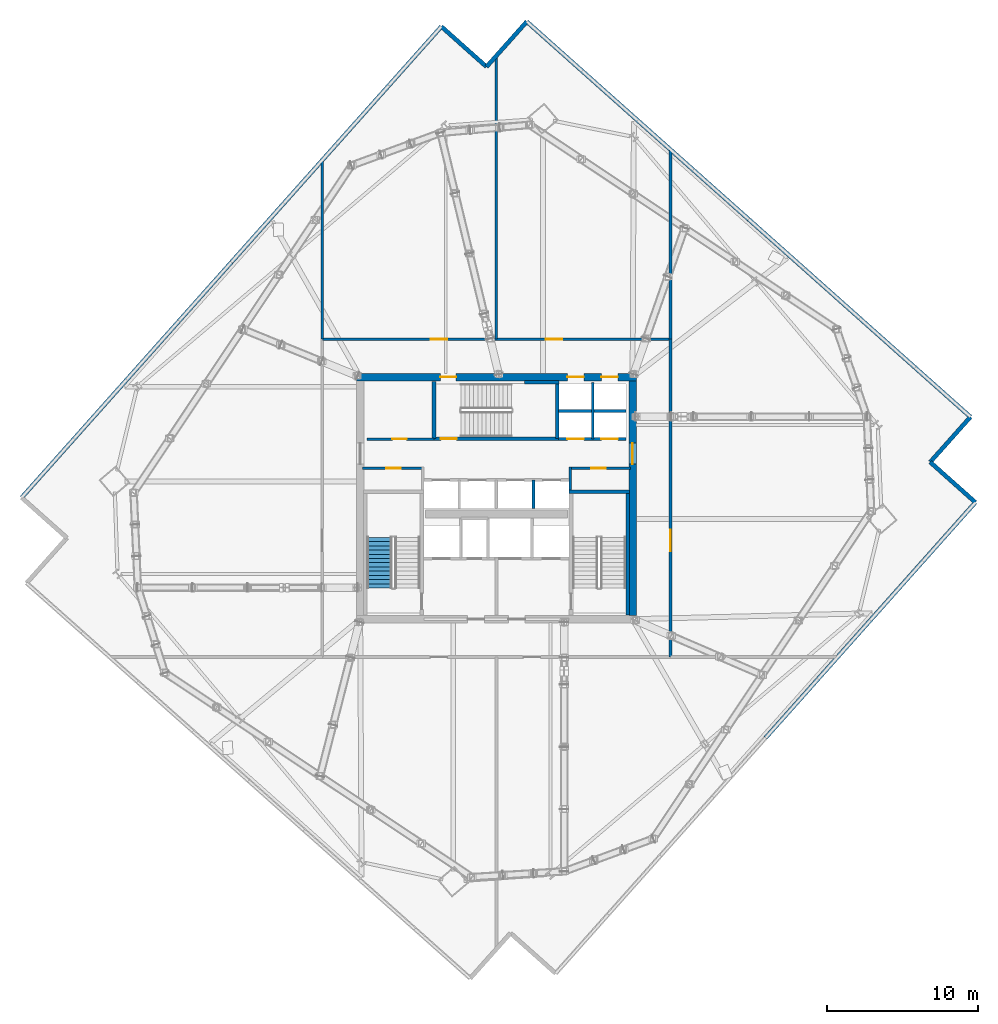
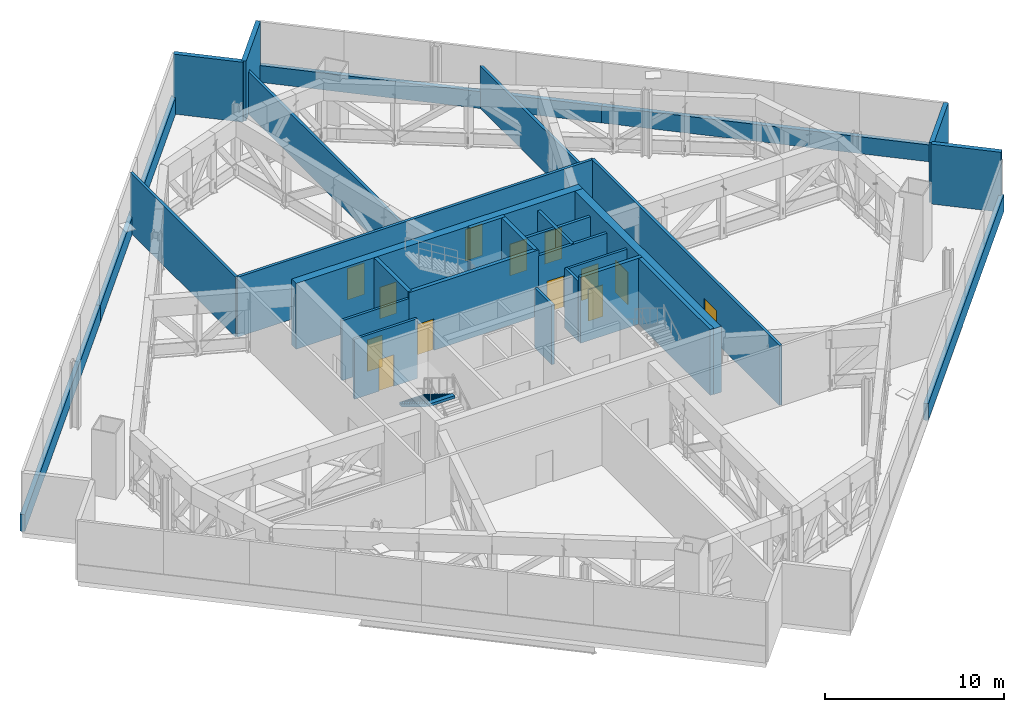
# One storey, part 13 of 18: 30 walls, 13 doors, 1 stair flight, 13 openings, 1 element without a shape of its own.
"""IFC4 building model written with IfcOpenShell, lengths in metres."""

from ifc_helpers import new_model, si_unit, direction, frame, frame_2d, origin, place, context, subcontext, project, spatial, polyline, rectangle, outline, extrude, material, layer, layer_set, type_object, element, fill, aggregate, save


model = new_model("IFC4")

# Units and contexts
model_context = context("Model", 3, precision=1e-05, world=origin(), true_north=direction((0.0, 1.0)))
body_context = subcontext(model_context, "Body", "Model", "MODEL_VIEW")
ifc_project = project(units=[si_unit("LENGTHUNIT", "METRE"), si_unit("AREAUNIT", "SQUARE_METRE"), si_unit("VOLUMEUNIT", "CUBIC_METRE"), si_unit("PLANEANGLEUNIT", "RADIAN"), si_unit("MASSUNIT", "GRAM", prefix="KILO")], contexts=[model_context])

# Site, building, storey
site_placement = place(None, origin())
site = spatial("IfcSite", under=ifc_project, at=site_placement, CompositionType="ELEMENT")
building_placement = place(site_placement, origin())
building = spatial("IfcBuilding", under=site, at=building_placement, Name="Haldenkirk Collegiate Tower", CompositionType="ELEMENT")
storey_placement = place(building_placement, frame((0.0, 0.0, 189.449951171875)))
storey = spatial("IfcBuildingStorey", under=building, at=storey_placement, Name="L47", CompositionType="ELEMENT", Elevation=189.449951171875)

# Wall, openings, doors
ifc_material_1 = material(Name="Concrete f'c 55 MPa", Category="concrete")
ifc_layer_1 = layer(ifc_material_1, 0.5)
ifc_layer_set_1 = layer_set([ifc_layer_1], Name="Concrete f'c 55 MPa")
wall_type_1 = type_object("IfcWallType", Name="WL-CORE-500", PredefinedType="SHEAR", material=ifc_layer_set_1)
wall_1_placement = place(storey_placement, frame((26.75, 34.0, 0.0), z_axis=(0.0, 0.0, 1.0), x_axis=(1.0, 0.0, 0.0)))
wall_1 = element("IfcWall", 1, at=wall_1_placement, inside=storey, type_object=wall_type_1, Name="L47 central core shear wall N", PredefinedType="SHEAR", context=body_context, shape_type="SweptSolid", body=[
    extrude(rectangle(XDim=18.5, YDim=0.5, at=frame_2d((9.25, 0.0))), origin(), (0.0, 0.0, 1.0), 4.5),
])
opening_1_placement = place(wall_1_placement, frame((5.544921875, 0.0, 0.0)))
opening_1 = element("IfcOpeningElement", 2, at=opening_1_placement, cuts=wall_1, Name="Opening D-01", PredefinedType="OPENING", context=body_context, shape_type="SweptSolid", body=[
    extrude(rectangle(XDim=1.050048828125, YDim=2.14990234375, at=frame_2d((0.52490234375, 1.074951171875))), frame((0.0, 0.260009765625, 0.0), z_axis=(0.0, -1.0, 0.0), x_axis=(1.0, 0.0, 0.0)), (0.0, 0.0, 1.0), 0.52001953125),
])
opening_2_placement = place(wall_1_placement, frame((13.93505859375, 0.0, 0.0)))
opening_2 = element("IfcOpeningElement", 3, at=opening_2_placement, cuts=wall_1, Name="Opening LD-11", PredefinedType="OPENING", context=body_context, shape_type="SweptSolid", body=[
    extrude(rectangle(XDim=1.10009765625, YDim=2.14990234375, at=frame_2d((0.550048828125, 1.074951171875))), frame((0.0, 0.260009765625, 0.0), z_axis=(0.0, -1.0, 0.0), x_axis=(1.0, 0.0, 0.0)), (0.0, 0.0, 1.0), 0.52001953125),
])
opening_3_placement = place(wall_1_placement, frame((16.18505859375, 0.0, 0.0)))
opening_3 = element("IfcOpeningElement", 4, at=opening_3_placement, cuts=wall_1, Name="Opening LD-11", PredefinedType="OPENING", context=body_context, shape_type="SweptSolid", body=[
    extrude(rectangle(XDim=1.10009765625, YDim=2.14990234375, at=frame_2d((0.550048828125, 1.074951171875))), frame((0.0, 0.260009765625, 0.0), z_axis=(0.0, -1.0, 0.0), x_axis=(1.0, 0.0, 0.0)), (0.0, 0.0, 1.0), 0.52001953125),
])
ifc_material_2 = material(Name="Galvanized fire-rated hollow steel door", Category="steel")
ifc_layer_2 = layer(ifc_material_2, 0.06005859375)
ifc_layer_set_2 = layer_set([ifc_layer_2], Name="Galvanized fire-rated hollow steel door")
door_type_1 = type_object("IfcDoorType", Name="DR-STAIR-FD90-1050", OperationType="NOTDEFINED", PredefinedType="DOOR", material=ifc_layer_set_2)
door_1_placement = place(opening_1_placement, origin())
door_1 = element("IfcDoor", 5, at=door_1_placement, inside=storey, type_object=door_type_1, Name="L47 north plant corridor Stair 3 door", OperationType="SINGLE_SWING_RIGHT", OverallHeight=2.14990234375, OverallWidth=1.050048828125, PredefinedType="DOOR", context=body_context, shape_type="SweptSolid", body=[
    extrude(rectangle(XDim=1.050048828125, YDim=2.14990234375, at=frame_2d((0.52490234375, 1.074951171875))), frame((0.0, 0.02490234375, 0.0), z_axis=(0.0, -1.0, 0.0), x_axis=(1.0, 0.0, 0.0)), (0.0, 0.0, 1.0), 0.050048828125),
])
fill(opening_1, door_1)
ifc_material_3 = material(Name="Brushed architectural stainless steel", Category="steel")
ifc_layer_3 = layer(ifc_material_3, 0.06005859375)
ifc_layer_set_3 = layer_set([ifc_layer_3], Name="Brushed architectural stainless steel")
door_type_2 = type_object("IfcDoorType", Name="LD-PASS-1100", OperationType="NOTDEFINED", PredefinedType="DOOR", material=ifc_layer_set_3)
door_2_placement = place(opening_2_placement, origin())
door_2 = element("IfcDoor", 6, at=door_2_placement, inside=storey, type_object=door_type_2, Name="L47 Elevator PM3 sliding landing door", OperationType="SLIDING_TO_LEFT", OverallHeight=2.14990234375, OverallWidth=1.10009765625, PredefinedType="DOOR", context=body_context, shape_type="SweptSolid", body=[
    extrude(rectangle(XDim=1.10009765625, YDim=2.14990234375, at=frame_2d((0.550048828125, 1.074951171875))), frame((0.0, 0.02490234375, 0.0), z_axis=(0.0, -1.0, 0.0), x_axis=(1.0, 0.0, 0.0)), (0.0, 0.0, 1.0), 0.050048828125),
])
fill(opening_2, door_2)
door_3_placement = place(opening_3_placement, origin())
door_3 = element("IfcDoor", 7, at=door_3_placement, inside=storey, type_object=door_type_2, Name="L47 Elevator PM4 sliding landing door", OperationType="SLIDING_TO_LEFT", OverallHeight=2.14990234375, OverallWidth=1.10009765625, PredefinedType="DOOR", context=body_context, shape_type="SweptSolid", body=[
    extrude(rectangle(XDim=1.10009765625, YDim=2.14990234375, at=frame_2d((0.550048828125, 1.074951171875))), frame((0.0, 0.02490234375, 0.0), z_axis=(0.0, -1.0, 0.0), x_axis=(1.0, 0.0, 0.0)), (0.0, 0.0, 1.0), 0.050048828125),
])
fill(opening_3, door_3)

# Wall, opening, door
wall_2_placement = place(storey_placement, frame((45.0, 18.25, 0.0), z_axis=(0.0, 0.0, 1.0), x_axis=(0.0, 1.0, 0.0)))
wall_2 = element("IfcWall", 8, at=wall_2_placement, inside=storey, type_object=wall_type_1, Name="L47 central core shear wall E", PredefinedType="SHEAR", context=body_context, shape_type="SweptSolid", body=[
    extrude(rectangle(XDim=15.5, YDim=0.5, at=frame_2d((7.75, 0.0))), origin(), (0.0, 0.0, 1.0), 4.5),
])
opening_4_placement = place(wall_2_placement, frame((9.989990234375, 0.0, 0.0)))
opening_4 = element("IfcOpeningElement", 9, at=opening_4_placement, cuts=wall_2, Name="Opening D-03", PredefinedType="OPENING", context=body_context, shape_type="SweptSolid", body=[
    extrude(rectangle(XDim=1.39990234375, YDim=2.199951171875, at=frame_2d((0.699951171875, 1.10009765625))), frame((0.0, 0.260009765625, 0.0), z_axis=(0.0, -1.0, 0.0), x_axis=(1.0, 0.0, 0.0)), (0.0, 0.0, 1.0), 0.52001953125),
])
ifc_layer_4 = layer(ifc_material_2, 0.06005859375)
ifc_layer_set_4 = layer_set([ifc_layer_4], Name="Galvanized fire-rated hollow steel door")
door_type_3 = type_object("IfcDoorType", Name="DR-LOBBY-FD90-1400", OperationType="NOTDEFINED", PredefinedType="DOOR", material=ifc_layer_set_4)
door_4_placement = place(opening_4_placement, origin())
door_4 = element("IfcDoor", 10, at=door_4_placement, inside=storey, type_object=door_type_3, Name="L47 east lift lobby portal", OperationType="DOUBLE_DOOR_SINGLE_SWING", OverallHeight=2.199951171875, OverallWidth=1.39990234375, PredefinedType="DOOR", context=body_context, shape_type="SweptSolid", body=[
    extrude(rectangle(XDim=1.39990234375, YDim=2.199951171875, at=frame_2d((0.699951171875, 1.10009765625))), frame((0.0, 0.02490234375, 0.0), z_axis=(0.0, -1.0, 0.0), x_axis=(1.0, 0.0, 0.0)), (0.0, 0.0, 1.0), 0.050048828125),
])
fill(opening_4, door_4)

# Walls
ifc_material_4 = material(Name="Precast concrete f'c 40 MPa", Category="concrete")
ifc_layer_5 = layer(ifc_material_4, 0.280029296875)
ifc_layer_set_5 = layer_set([ifc_layer_5], Name="Precast concrete f'c 40 MPa")
wall_type_2 = type_object("IfcWallType", Name="WL-EXT-PLT-280", PredefinedType="STANDARD", material=ifc_layer_set_5)
wall_3_placement = place(storey_placement, frame((67.65869140625, 25.71826171875, 0.0), z_axis=(0.0, 0.0, 1.0), x_axis=(-0.665232628424, -0.746636156425, 0.0)))
element("IfcWall", 11, at=wall_3_placement, inside=storey, type_object=wall_type_2, Name="L47 plant room precast spandrel 01A", PredefinedType="STANDARD", context=body_context, shape_type="SweptSolid", body=[
    extrude(rectangle(XDim=20.85009765625, YDim=0.280029296875, at=frame_2d((10.425048828125, 0.0))), origin(), (0.0, 0.0, 1.0), 1.150146484375),
])
for number, where, z_axis, x_axis, name in (
    (12, (64.672119140625, 28.379150390625, 0.0), (0.0, 0.0, 1.0), (0.746644409856, -0.665223364916, 0.0), "L47 plant corner precast wall 02"),
    (13, (67.3330078125, 31.36572265625, 0.0), (0.0, 0.0, 1.0), (-0.665223364916, -0.746644409856, 0.0), "L47 plant corner precast wall 03"),
):
    element("IfcWall", number, at=place(storey_placement, frame(where, z_axis=z_axis, x_axis=x_axis)), inside=storey, type_object=wall_type_2, Name=name, PredefinedType="STANDARD", context=body_context, shape_type="SweptSolid", body=[
        extrude(rectangle(XDim=4.0, YDim=0.280029296875, at=frame_2d((2.0, 0.0))), origin(), (0.0, 0.0, 1.0), 4.090087890625),
    ])
for number, where, z_axis, x_axis, name in (
    (14, (38.0087890625, 57.49267578125, 0.0), (0.0, 0.0, 1.0), (0.746637837587, -0.665230741535, 0.0), "L47 plant room precast spandrel 04A"),
    (15, (52.6708984375, 44.42919921875, 0.0), (0.0, 0.0, 1.0), (0.746637837587, -0.665230741535, 0.0), "L47 plant room precast spandrel 04B"),
):
    element("IfcWall", number, at=place(storey_placement, frame(where, z_axis=z_axis, x_axis=x_axis)), inside=storey, type_object=wall_type_2, Name=name, PredefinedType="STANDARD", context=body_context, shape_type="SweptSolid", body=[
        extrude(rectangle(XDim=19.637451171875, YDim=0.280029296875, at=frame_2d((9.81884765625, 0.0))), origin(), (0.0, 0.0, 1.0), 1.150146484375),
    ])
for number, where, z_axis, x_axis, name in (
    (16, (35.347900390625, 54.506103515625, 0.0), (0.0, 0.0, 1.0), (0.665223364916, 0.746644409856, 0.0), "L47 plant corner precast wall 05"),
    (17, (32.361328125, 57.1669921875, 0.0), (0.0, 0.0, 1.0), (0.746644409856, -0.665223364916, 0.0), "L47 plant corner precast wall 06"),
):
    element("IfcWall", number, at=place(storey_placement, frame(where, z_axis=z_axis, x_axis=x_axis)), inside=storey, type_object=wall_type_2, Name=name, PredefinedType="STANDARD", context=body_context, shape_type="SweptSolid", body=[
        extrude(rectangle(XDim=4.0, YDim=0.280029296875, at=frame_2d((2.0, 0.0))), origin(), (0.0, 0.0, 1.0), 4.090087890625),
    ])
wall_4_placement = place(storey_placement, frame((4.621337890625, 26.0322265625, 0.0), z_axis=(0.0, 0.0, 1.0), x_axis=(0.665232628424, 0.746636156425, 0.0)))
element("IfcWall", 18, at=wall_4_placement, inside=storey, type_object=wall_type_2, Name="L47 plant room precast spandrel 07A", PredefinedType="STANDARD", context=body_context, shape_type="SweptSolid", body=[
    extrude(rectangle(XDim=20.85009765625, YDim=0.280029296875, at=frame_2d((10.425048828125, 0.0))), origin(), (0.0, 0.0, 1.0), 1.150146484375),
])
wall_5_placement = place(storey_placement, frame((18.491455078125, 41.599609375, 0.0), z_axis=(0.0, 0.0, 1.0), x_axis=(0.665226100778, 0.746641972329, 0.0)))
element("IfcWall", 19, at=wall_5_placement, inside=storey, type_object=wall_type_2, Name="L47 plant room precast spandrel 07B", PredefinedType="STANDARD", context=body_context, shape_type="SweptSolid", body=[
    extrude(rectangle(XDim=20.849853515625, YDim=0.280029296875, at=frame_2d((10.4248046875, 0.0))), origin(), (0.0, 0.0, 1.0), 1.150146484375),
])

# Wall, opening, door
ifc_material_5 = material(Name="Acoustic fire-rated gypsum partition", Category="concrete")
ifc_layer_6 = layer(ifc_material_5, 0.159912109375)
ifc_layer_set_6 = layer_set([ifc_layer_6], Name="Acoustic fire-rated gypsum partition")
wall_type_3 = type_object("IfcWallType", Name="WL-INT-CORR-160", PredefinedType="PARTITIONING", material=ifc_layer_set_6)
wall_6_placement = place(storey_placement, frame((27.14990234375, 27.97998046875, 0.0), z_axis=(0.0, 0.0, 1.0), x_axis=(1.0, 0.0, 0.0)))
wall_6 = element("IfcWall", 20, at=wall_6_placement, inside=storey, type_object=wall_type_3, Name="L47 interior partition IW-L47-VCSW-N", PredefinedType="PARTITIONING", context=body_context, shape_type="SweptSolid", body=[
    extrude(rectangle(XDim=4.050048828125, YDim=0.159912109375, at=frame_2d((2.02490234375, 0.0))), origin(), (0.0, 0.0, 1.0), 4.090087890625),
])
opening_5_placement = place(wall_6_placement, frame((1.574951171875, 0.0, 0.0)))
opening_5 = element("IfcOpeningElement", 21, at=opening_5_placement, cuts=wall_6, Name="Opening D-10", PredefinedType="OPENING", context=body_context, shape_type="SweptSolid", body=[
    extrude(rectangle(XDim=0.949951171875, YDim=2.14990234375, at=frame_2d((0.47509765625, 1.074951171875))), frame((0.0, 0.08984375, 0.0), z_axis=(0.0, -1.0, 0.0), x_axis=(1.0, 0.0, 0.0)), (0.0, 0.0, 1.0), 0.179931640625),
])
ifc_material_6 = material(Name="Solid-core architectural oak fire door", Category="wood")
ifc_layer_7 = layer(ifc_material_6, 0.06005859375)
ifc_layer_set_7 = layer_set([ifc_layer_7], Name="Solid-core architectural oak fire door")
door_type_4 = type_object("IfcDoorType", Name="DR-INT-FD60-950", OperationType="NOTDEFINED", PredefinedType="DOOR", material=ifc_layer_set_7)
door_5_placement = place(opening_5_placement, origin())
door_5 = element("IfcDoor", 22, at=door_5_placement, inside=storey, type_object=door_type_4, Name="L47 core electrical door", OperationType="SINGLE_SWING_LEFT", OverallHeight=2.14990234375, OverallWidth=0.949951171875, PredefinedType="DOOR", context=body_context, shape_type="SweptSolid", body=[
    extrude(rectangle(XDim=0.949951171875, YDim=2.14990234375, at=frame_2d((0.47509765625, 1.074951171875))), frame((0.0, 0.02490234375, 0.0), z_axis=(0.0, -1.0, 0.0), x_axis=(1.0, 0.0, 0.0)), (0.0, 0.0, 1.0), 0.050048828125),
])
fill(opening_5, door_5)

wall_7_placement = place(storey_placement, frame((40.800048828125, 27.97998046875, 0.0), z_axis=(0.0, 0.0, 1.0), x_axis=(1.0, 0.0, 0.0)))
wall_7 = element("IfcWall", 23, at=wall_7_placement, inside=storey, type_object=wall_type_3, Name="L47 interior partition IW-L47-VCSE-N", PredefinedType="PARTITIONING", context=body_context, shape_type="SweptSolid", body=[
    extrude(rectangle(XDim=4.050048828125, YDim=0.159912109375, at=frame_2d((2.02490234375, 0.0))), origin(), (0.0, 0.0, 1.0), 4.090087890625),
])
opening_6_placement = place(wall_7_placement, frame((1.47509765625, 0.0, 0.0)))
opening_6 = element("IfcOpeningElement", 24, at=opening_6_placement, cuts=wall_7, Name="Opening D-10", PredefinedType="OPENING", context=body_context, shape_type="SweptSolid", body=[
    extrude(rectangle(XDim=0.949951171875, YDim=2.14990234375, at=frame_2d((0.47509765625, 1.074951171875))), frame((0.0, 0.08984375, 0.0), z_axis=(0.0, -1.0, 0.0), x_axis=(1.0, 0.0, 0.0)), (0.0, 0.0, 1.0), 0.179931640625),
])
door_6_placement = place(opening_6_placement, origin())
door_6 = element("IfcDoor", 25, at=door_6_placement, inside=storey, type_object=door_type_4, Name="L47 core mechanical store door", OperationType="SINGLE_SWING_RIGHT", OverallHeight=2.14990234375, OverallWidth=0.949951171875, PredefinedType="DOOR", context=body_context, shape_type="SweptSolid", body=[
    extrude(rectangle(XDim=0.949951171875, YDim=2.14990234375, at=frame_2d((0.47509765625, 1.074951171875))), frame((0.0, 0.02490234375, 0.0), z_axis=(0.0, -1.0, 0.0), x_axis=(1.0, 0.0, 0.0)), (0.0, 0.0, 1.0), 0.050048828125),
])
fill(opening_6, door_6)

# Wall
wall_8_placement = place(storey_placement, frame((40.8798828125, 26.5400390625, 0.0), z_axis=(0.0, 0.0, 1.0), x_axis=(0.0, 1.0, 0.0)))
element("IfcWall", 26, at=wall_8_placement, inside=storey, type_object=wall_type_3, Name="L47 interior partition IW-L47-VCSE-W", PredefinedType="PARTITIONING", context=body_context, shape_type="SweptSolid", body=[
    extrude(rectangle(XDim=1.510009765625, YDim=0.159912109375, at=frame_2d((0.7548828125, 0.0))), origin(), (0.0, 0.0, 1.0), 4.090087890625),
])

# Wall, opening, door
wall_9_placement = place(storey_placement, frame((27.449951171875, 29.89990234375, 0.0), z_axis=(0.0, 0.0, 1.0), x_axis=(1.0, 0.0, 0.0)))
wall_9 = element("IfcWall", 27, at=wall_9_placement, inside=storey, type_object=wall_type_3, Name="L47 interior partition IW-L47-PLS", PredefinedType="PARTITIONING", context=body_context, shape_type="SweptSolid", body=[
    extrude(rectangle(XDim=4.429931640625, YDim=0.159912109375, at=frame_2d((2.21484375, 0.0))), origin(), (0.0, 0.0, 1.0), 4.090087890625),
])
opening_7_placement = place(wall_9_placement, frame((1.675048828125, 0.0, 0.0)))
opening_7 = element("IfcOpeningElement", 28, at=opening_7_placement, cuts=wall_9, Name="Opening D-10", PredefinedType="OPENING", context=body_context, shape_type="SweptSolid", body=[
    extrude(rectangle(XDim=0.949951171875, YDim=2.14990234375, at=frame_2d((0.47509765625, 1.074951171875))), frame((0.0, 0.08984375, 0.0), z_axis=(0.0, -1.0, 0.0), x_axis=(1.0, 0.0, 0.0)), (0.0, 0.0, 1.0), 0.179931640625),
])
door_7_placement = place(opening_7_placement, origin())
door_7 = element("IfcDoor", 29, at=door_7_placement, inside=storey, type_object=door_type_4, Name="L47 reclaimed plant store door", OperationType="SINGLE_SWING_LEFT", OverallHeight=2.14990234375, OverallWidth=0.949951171875, PredefinedType="DOOR", context=body_context, shape_type="SweptSolid", body=[
    extrude(rectangle(XDim=0.949951171875, YDim=2.14990234375, at=frame_2d((0.47509765625, 1.074951171875))), frame((0.0, 0.02490234375, 0.0), z_axis=(0.0, -1.0, 0.0), x_axis=(1.0, 0.0, 0.0)), (0.0, 0.0, 1.0), 0.050048828125),
])
fill(opening_7, door_7)

# Wall, openings, doors
ifc_material_7 = material(Name="Fire-rated gypsum shaftboard assembly", Category="concrete")
ifc_layer_8 = layer(ifc_material_7, 0.179931640625)
ifc_layer_set_8 = layer_set([ifc_layer_8], Name="Fire-rated gypsum shaftboard assembly")
wall_type_4 = type_object("IfcWallType", Name="WL-INT-SHAFT-180", PredefinedType="PARTITIONING", material=ifc_layer_set_8)
wall_10_placement = place(storey_placement, frame((40.1201171875, 29.89990234375, 0.0), z_axis=(0.0, 0.0, 1.0), x_axis=(1.0, 0.0, 0.0)))
wall_10 = element("IfcWall", 30, at=wall_10_placement, inside=storey, type_object=wall_type_4, Name="L47 interior partition IW-L47-PMS", PredefinedType="PARTITIONING", context=body_context, shape_type="SweptSolid", body=[
    extrude(rectangle(XDim=4.429931640625, YDim=0.179931640625, at=frame_2d((2.21484375, 0.0))), origin(), (0.0, 0.0, 1.0), 4.090087890625),
])
opening_8_placement = place(wall_10_placement, frame((0.56494140625, 0.0, 0.0)))
opening_8 = element("IfcOpeningElement", 31, at=opening_8_placement, cuts=wall_10, Name="Opening LD-11", PredefinedType="OPENING", context=body_context, shape_type="SweptSolid", body=[
    extrude(rectangle(XDim=1.10009765625, YDim=2.14990234375, at=frame_2d((0.550048828125, 1.074951171875))), frame((0.0, 0.099853515625, 0.0), z_axis=(0.0, -1.0, 0.0), x_axis=(1.0, 0.0, 0.0)), (0.0, 0.0, 1.0), 0.199951171875),
])
opening_9_placement = place(wall_10_placement, frame((2.81494140625, 0.0, 0.0)))
opening_9 = element("IfcOpeningElement", 32, at=opening_9_placement, cuts=wall_10, Name="Opening LD-11", PredefinedType="OPENING", context=body_context, shape_type="SweptSolid", body=[
    extrude(rectangle(XDim=1.10009765625, YDim=2.14990234375, at=frame_2d((0.550048828125, 1.074951171875))), frame((0.0, 0.099853515625, 0.0), z_axis=(0.0, -1.0, 0.0), x_axis=(1.0, 0.0, 0.0)), (0.0, 0.0, 1.0), 0.199951171875),
])
door_8_placement = place(opening_8_placement, origin())
door_8 = element("IfcDoor", 33, at=door_8_placement, inside=storey, type_object=door_type_2, Name="L47 Elevator PM1 sliding landing door", OperationType="SLIDING_TO_LEFT", OverallHeight=2.14990234375, OverallWidth=1.10009765625, PredefinedType="DOOR", context=body_context, shape_type="SweptSolid", body=[
    extrude(rectangle(XDim=1.10009765625, YDim=2.14990234375, at=frame_2d((0.550048828125, 1.074951171875))), frame((0.0, 0.02490234375, 0.0), z_axis=(0.0, -1.0, 0.0), x_axis=(1.0, 0.0, 0.0)), (0.0, 0.0, 1.0), 0.050048828125),
])
fill(opening_8, door_8)
door_9_placement = place(opening_9_placement, origin())
door_9 = element("IfcDoor", 34, at=door_9_placement, inside=storey, type_object=door_type_2, Name="L47 Elevator PM2 sliding landing door", OperationType="SLIDING_TO_LEFT", OverallHeight=2.14990234375, OverallWidth=1.10009765625, PredefinedType="DOOR", context=body_context, shape_type="SweptSolid", body=[
    extrude(rectangle(XDim=1.10009765625, YDim=2.14990234375, at=frame_2d((0.550048828125, 1.074951171875))), frame((0.0, 0.02490234375, 0.0), z_axis=(0.0, -1.0, 0.0), x_axis=(1.0, 0.0, 0.0)), (0.0, 0.0, 1.0), 0.050048828125),
])
fill(opening_9, door_9)

# Walls
wall_11_placement = place(storey_placement, frame((40.1201171875, 31.75, 0.0), z_axis=(0.0, 0.0, 1.0), x_axis=(1.0, 0.0, 0.0)))
element("IfcWall", 35, at=wall_11_placement, inside=storey, type_object=wall_type_4, Name="L47 interior partition IW-L47-PMM", PredefinedType="PARTITIONING", context=body_context, shape_type="SweptSolid", body=[
    extrude(rectangle(XDim=4.429931640625, YDim=0.179931640625, at=frame_2d((2.21484375, 0.0))), origin(), (0.0, 0.0, 1.0), 4.090087890625),
])
wall_12_placement = place(storey_placement, frame((42.3701171875, 29.89990234375, 0.0), z_axis=(0.0, 0.0, 1.0), x_axis=(0.0, 1.0, 0.0)))
element("IfcWall", 36, at=wall_12_placement, inside=storey, type_object=wall_type_4, Name="L47 interior partition IW-L47-PMV", PredefinedType="PARTITIONING", context=body_context, shape_type="SweptSolid", body=[
    extrude(rectangle(XDim=3.75, YDim=0.179931640625, at=frame_2d((1.875, 0.0))), origin(), (0.0, 0.0, 1.0), 4.090087890625),
])
wall_13_placement = place(storey_placement, frame((38.4599609375, 25.300048828125, 0.0), z_axis=(0.0, 0.0, 1.0), x_axis=(0.0, 1.0, 0.0)))
element("IfcWall", 37, at=wall_13_placement, inside=storey, type_object=wall_type_4, Name="L47 interior partition IW-L47-PHV3", PredefinedType="PARTITIONING", context=body_context, shape_type="SweptSolid", body=[
    extrude(rectangle(XDim=1.89990234375, YDim=0.179931640625, at=frame_2d((0.949951171875, 0.0))), origin(), (0.0, 0.0, 1.0), 4.090087890625),
])

# Wall, openings, doors
wall_14_placement = place(storey_placement, frame((24.5, 36.5, 0.0), z_axis=(0.0, 0.0, 1.0), x_axis=(1.0, 0.0, 0.0)))
wall_14 = element("IfcWall", 38, at=wall_14_placement, inside=storey, type_object=wall_type_4, Name="L47 interior partition IW-L47-CN", PredefinedType="PARTITIONING", context=body_context, shape_type="SweptSolid", body=[
    extrude(rectangle(XDim=23.0, YDim=0.179931640625, at=frame_2d((11.5, 0.0))), origin(), (0.0, 0.0, 1.0), 4.090087890625),
])
opening_10_placement = place(wall_14_placement, frame((7.14990234375, 0.0, 0.0)))
opening_10 = element("IfcOpeningElement", 39, at=opening_10_placement, cuts=wall_14, Name="Opening D-02", PredefinedType="OPENING", context=body_context, shape_type="SweptSolid", body=[
    extrude(rectangle(XDim=1.10009765625, YDim=2.14990234375, at=frame_2d((0.550048828125, 1.074951171875))), frame((0.0, 0.099853515625, 0.0), z_axis=(0.0, -1.0, 0.0), x_axis=(1.0, 0.0, 0.0)), (0.0, 0.0, 1.0), 0.199951171875),
])
opening_11_placement = place(wall_14_placement, frame((14.75, 0.0, 0.0)))
opening_11 = element("IfcOpeningElement", 40, at=opening_11_placement, cuts=wall_14, Name="Opening D-02", PredefinedType="OPENING", context=body_context, shape_type="SweptSolid", body=[
    extrude(rectangle(XDim=1.10009765625, YDim=2.14990234375, at=frame_2d((0.550048828125, 1.074951171875))), frame((0.0, 0.099853515625, 0.0), z_axis=(0.0, -1.0, 0.0), x_axis=(1.0, 0.0, 0.0)), (0.0, 0.0, 1.0), 0.199951171875),
])
ifc_layer_9 = layer(ifc_material_2, 0.06005859375)
ifc_layer_set_9 = layer_set([ifc_layer_9], Name="Galvanized fire-rated hollow steel door")
door_type_5 = type_object("IfcDoorType", Name="DR-STAIR-FD90-1100", OperationType="NOTDEFINED", PredefinedType="DOOR", material=ifc_layer_set_9)
door_10_placement = place(opening_10_placement, origin())
door_10 = element("IfcDoor", 41, at=door_10_placement, inside=storey, type_object=door_type_5, Name="L47 switchgear door", OperationType="SINGLE_SWING_RIGHT", OverallHeight=2.14990234375, OverallWidth=1.10009765625, PredefinedType="DOOR", context=body_context, shape_type="SweptSolid", body=[
    extrude(rectangle(XDim=1.10009765625, YDim=2.14990234375, at=frame_2d((0.550048828125, 1.074951171875))), frame((0.0, 0.02490234375, 0.0), z_axis=(0.0, -1.0, 0.0), x_axis=(1.0, 0.0, 0.0)), (0.0, 0.0, 1.0), 0.050048828125),
])
fill(opening_10, door_10)
door_11_placement = place(opening_11_placement, origin())
door_11 = element("IfcDoor", 42, at=door_11_placement, inside=storey, type_object=door_type_5, Name="L47 pump room door", OperationType="SINGLE_SWING_LEFT", OverallHeight=2.14990234375, OverallWidth=1.10009765625, PredefinedType="DOOR", context=body_context, shape_type="SweptSolid", body=[
    extrude(rectangle(XDim=1.10009765625, YDim=2.14990234375, at=frame_2d((0.550048828125, 1.074951171875))), frame((0.0, 0.02490234375, 0.0), z_axis=(0.0, -1.0, 0.0), x_axis=(1.0, 0.0, 0.0)), (0.0, 0.0, 1.0), 0.050048828125),
])
fill(opening_11, door_11)

# Wall, opening, door
wall_15_placement = place(storey_placement, frame((47.5, 15.5, 0.0), z_axis=(0.0, 0.0, 1.0), x_axis=(0.0, 1.0, 0.0)))
wall_15 = element("IfcWall", 43, at=wall_15_placement, inside=storey, type_object=wall_type_4, Name="L47 interior partition IW-L47-CE", PredefinedType="PARTITIONING", context=body_context, shape_type="SweptSolid", body=[
    extrude(rectangle(XDim=21.0, YDim=0.179931640625, at=frame_2d((10.5, 0.0))), origin(), (0.0, 0.0, 1.0), 4.090087890625),
])
opening_12_placement = place(wall_15_placement, frame((7.0, 0.0, 0.0)))
opening_12 = element("IfcOpeningElement", 44, at=opening_12_placement, cuts=wall_15, Name="Opening D-03", PredefinedType="OPENING", context=body_context, shape_type="SweptSolid", body=[
    extrude(rectangle(XDim=1.39990234375, YDim=2.199951171875, at=frame_2d((0.699951171875, 1.10009765625))), frame((0.0, 0.099853515625, 0.0), z_axis=(0.0, -1.0, 0.0), x_axis=(1.0, 0.0, 0.0)), (0.0, 0.0, 1.0), 0.199951171875),
])
door_12_placement = place(opening_12_placement, origin())
door_12 = element("IfcDoor", 45, at=door_12_placement, inside=storey, type_object=door_type_3, Name="L47 east plant door", OperationType="DOUBLE_DOOR_SINGLE_SWING", OverallHeight=2.199951171875, OverallWidth=1.39990234375, PredefinedType="DOOR", context=body_context, shape_type="SweptSolid", body=[
    extrude(rectangle(XDim=1.39990234375, YDim=2.199951171875, at=frame_2d((0.699951171875, 1.10009765625))), frame((0.0, 0.02490234375, 0.0), z_axis=(0.0, -1.0, 0.0), x_axis=(1.0, 0.0, 0.0)), (0.0, 0.0, 1.0), 0.050048828125),
])
fill(opening_12, door_12)

# Walls
wall_16_placement = place(storey_placement, frame((36.0, 36.5, 0.0), z_axis=(0.0, 0.0, 1.0), x_axis=(0.0, 1.0, 0.0)))
element("IfcWall", 46, at=wall_16_placement, inside=storey, type_object=wall_type_4, Name="L47 interior partition IW-L47-PLTN", PredefinedType="PARTITIONING", context=body_context, shape_type="SweptSolid", body=[
    extrude(rectangle(XDim=18.677978515625, YDim=0.179931640625, at=frame_2d((9.3388671875, 0.0))), origin(), (0.0, 0.0, 1.0), 2.885009765625),
])
wall_17_placement = place(storey_placement, frame((24.5, 36.5, 0.0), z_axis=(0.0, 0.0, 1.0), x_axis=(0.0, 1.0, 0.0)))
element("IfcWall", 47, at=wall_17_placement, inside=storey, type_object=wall_type_4, Name="L47 interior partition IW-L47-PLTNW", PredefinedType="PARTITIONING", context=body_context, shape_type="SweptSolid", body=[
    extrude(rectangle(XDim=11.783447265625, YDim=0.179931640625, at=frame_2d((5.8916015625, 0.0))), origin(), (0.0, 0.0, 1.0), 4.090087890625),
])
wall_18_placement = place(storey_placement, frame((47.5, 36.5, 0.0), z_axis=(0.0, 0.0, 1.0), x_axis=(0.0, 1.0, 0.0)))
element("IfcWall", 48, at=wall_18_placement, inside=storey, type_object=wall_type_4, Name="L47 interior partition IW-L47-PLTNE", PredefinedType="PARTITIONING", context=body_context, shape_type="SweptSolid", body=[
    extrude(rectangle(XDim=12.48291015625, YDim=0.179931640625, at=frame_2d((6.241455078125, 0.0))), origin(), (0.0, 0.0, 1.0), 2.885009765625),
])
ifc_layer_10 = layer(ifc_material_1, 0.239990234375)
ifc_layer_set_10 = layer_set([ifc_layer_10], Name="Concrete f'c 55 MPa")
wall_type_5 = type_object("IfcWallType", Name="WL-SHAFT-240", PredefinedType="SHEAR", material=ifc_layer_set_10)
wall_19_placement = place(storey_placement, frame((40.81005859375, 26.419921875, 0.0), z_axis=(0.0, 0.0, 1.0), x_axis=(1.0, 0.0, 0.0)))
element("IfcWall", 49, at=wall_19_placement, inside=storey, type_object=wall_type_5, Name="L47 stair shaft shear wall SW-L47-ST2N", PredefinedType="SHEAR", context=body_context, shape_type="SweptSolid", body=[
    extrude(rectangle(XDim=3.97998046875, YDim=0.239990234375, at=frame_2d((1.989990234375, 0.0))), origin(), (0.0, 0.0, 1.0), 4.5),
])
wall_20_placement = place(storey_placement, frame((44.669921875, 18.280029296875, 0.0), z_axis=(0.0, 0.0, 1.0), x_axis=(0.0, 1.0, 0.0)))
element("IfcWall", 50, at=wall_20_placement, inside=storey, type_object=wall_type_5, Name="L47 stair shaft shear wall SW-L47-ST2E", PredefinedType="SHEAR", context=body_context, shape_type="SweptSolid", body=[
    extrude(rectangle(XDim=8.260009765625, YDim=0.239990234375, at=frame_2d((4.1298828125, 0.0))), origin(), (0.0, 0.0, 1.0), 4.5),
])

# Wall, opening, door
wall_21_placement = place(storey_placement, frame((31.760009765625, 29.929931640625, 0.0), z_axis=(0.0, 0.0, 1.0), x_axis=(1.0, 0.0, 0.0)))
wall_21 = element("IfcWall", 51, at=wall_21_placement, inside=storey, type_object=wall_type_5, Name="L47 stair shaft shear wall SW-L47-ST3S", PredefinedType="SHEAR", context=body_context, shape_type="SweptSolid", body=[
    extrude(rectangle(XDim=8.3798828125, YDim=0.239990234375, at=frame_2d((4.18994140625, 0.0))), origin(), (0.0, 0.0, 1.0), 4.5),
])
opening_13_placement = place(wall_21_placement, frame((0.56494140625, 0.0, 0.0)))
opening_13 = element("IfcOpeningElement", 52, at=opening_13_placement, cuts=wall_21, Name="Opening D-01", PredefinedType="OPENING", context=body_context, shape_type="SweptSolid", body=[
    extrude(rectangle(XDim=1.050048828125, YDim=2.14990234375, at=frame_2d((0.52490234375, 1.074951171875))), frame((0.0, 0.1298828125, 0.0), z_axis=(0.0, -1.0, 0.0), x_axis=(1.0, 0.0, 0.0)), (0.0, 0.0, 1.0), 0.260009765625),
])
door_13_placement = place(opening_13_placement, origin())
door_13 = element("IfcDoor", 53, at=door_13_placement, inside=storey, type_object=door_type_1, Name="L47 lift lobby Stair 3 door", OperationType="SINGLE_SWING_RIGHT", OverallHeight=2.14990234375, OverallWidth=1.050048828125, PredefinedType="DOOR", context=body_context, shape_type="SweptSolid", body=[
    extrude(rectangle(XDim=1.050048828125, YDim=2.14990234375, at=frame_2d((0.52490234375, 1.074951171875))), frame((0.0, 0.02490234375, 0.0), z_axis=(0.0, -1.0, 0.0), x_axis=(1.0, 0.0, 0.0)), (0.0, 0.0, 1.0), 0.050048828125),
])
fill(opening_13, door_13)

# Walls
wall_22_placement = place(storey_placement, frame((31.8798828125, 29.929931640625, 0.0), z_axis=(0.0, 0.0, 1.0), x_axis=(0.0, 1.0, 0.0)))
element("IfcWall", 54, at=wall_22_placement, inside=storey, type_object=wall_type_5, Name="L47 stair shaft shear wall SW-L47-ST3W", PredefinedType="SHEAR", context=body_context, shape_type="SweptSolid", body=[
    extrude(rectangle(XDim=3.7900390625, YDim=0.239990234375, at=frame_2d((1.89501953125, 0.0))), origin(), (0.0, 0.0, 1.0), 4.5),
])
wall_23_placement = place(storey_placement, frame((40.02001953125, 29.929931640625, 0.0), z_axis=(0.0, 0.0, 1.0), x_axis=(0.0, 1.0, 0.0)))
element("IfcWall", 55, at=wall_23_placement, inside=storey, type_object=wall_type_5, Name="L47 stair shaft shear wall SW-L47-ST3E", PredefinedType="SHEAR", context=body_context, shape_type="SweptSolid", body=[
    extrude(rectangle(XDim=3.85009765625, YDim=0.239990234375, at=frame_2d((1.925048828125, 0.0))), origin(), (0.0, 0.0, 1.0), 4.5),
])
wall_24_placement = place(storey_placement, frame((37.85009765625, 33.659912109375, 0.0), z_axis=(0.0, 0.0, 1.0), x_axis=(1.0, 0.0, 0.0)))
element("IfcWall", 56, at=wall_24_placement, inside=storey, type_object=wall_type_5, Name="L47 stair shaft shear wall SW-L47-ST3N", PredefinedType="SHEAR", context=body_context, shape_type="SweptSolid", body=[
    extrude(rectangle(XDim=2.289794921875, YDim=0.239990234375, at=frame_2d((1.14501953125, 0.0))), origin(), (0.0, 0.0, 1.0), 4.5),
])

# Stair, stair flight
ifc_material_8 = material(Name="Concrete f'c 40 MPa", Category="concrete")
stair_type = type_object("IfcStairType", Name="STR-DOGLEG-1650", PredefinedType="HALF_TURN_STAIR", material=ifc_material_8)
stair_placement = place(storey_placement, origin())
stair = element("IfcStair", 57, at=stair_placement, inside=storey, type_object=stair_type, Name="L47 Core Exit Stair ST-1", PredefinedType="HALF_TURN_STAIR")
stair_flight_type = type_object("IfcStairFlightType", Name="STF-FLIGHT-1650", PredefinedType="STRAIGHT", material=ifc_material_8)
stair_flight_placement = place(storey_placement, frame((28.27490234375, 23.409912109375, 2.25), z_axis=(0.0, 0.0, 1.0), x_axis=(0.0, -1.0, 0.0)))
stair_flight = element("IfcStairFlight", 58, at=stair_flight_placement, type_object=stair_flight_type, Name="ST-1 flight 2", NumberOfRisers=13, NumberOfTreads=12, PredefinedType="STRAIGHT", RiserHeight=0.173076923, TreadLength=0.28, context=body_context, shape_type="SweptSolid", body=[
    extrude(outline(polyline([(0.0, 0.0), (0.0, 0.173095703125), (0.280029296875, 0.173095703125), (0.280029296875, 0.34619140625), (0.56005859375, 0.34619140625), (0.56005859375, 0.519287109375), (0.840087890625, 0.519287109375), (0.840087890625, 0.6923828125), (1.1201171875, 0.6923828125), (1.1201171875, 0.865478515625), (1.39990234375, 0.865478515625), (1.39990234375, 1.03857421875), (1.679931640625, 1.03857421875), (1.679931640625, 1.21142578125), (1.9599609375, 1.21142578125), (1.9599609375, 1.384521484375), (2.239990234375, 1.384521484375), (2.239990234375, 1.5576171875), (2.52001953125, 1.5576171875), (2.52001953125, 1.730712890625), (2.800048828125, 1.730712890625), (2.800048828125, 1.90380859375), (3.080078125, 1.90380859375), (3.080078125, 2.076904296875), (3.360107421875, 2.076904296875), (3.360107421875, 2.25), (3.360107421875, 1.900634765625), (0.28515625, 0.0), (0.0, 0.0)])), frame((0.0, 0.824951171875, 0.0), z_axis=(0.0, -1.0, 0.0), x_axis=(1.0, 0.0, 0.0)), (0.0, 0.0, 1.0), 1.64990234375),
])
aggregate(stair, [stair_flight])

save(model, "model.ifc")
